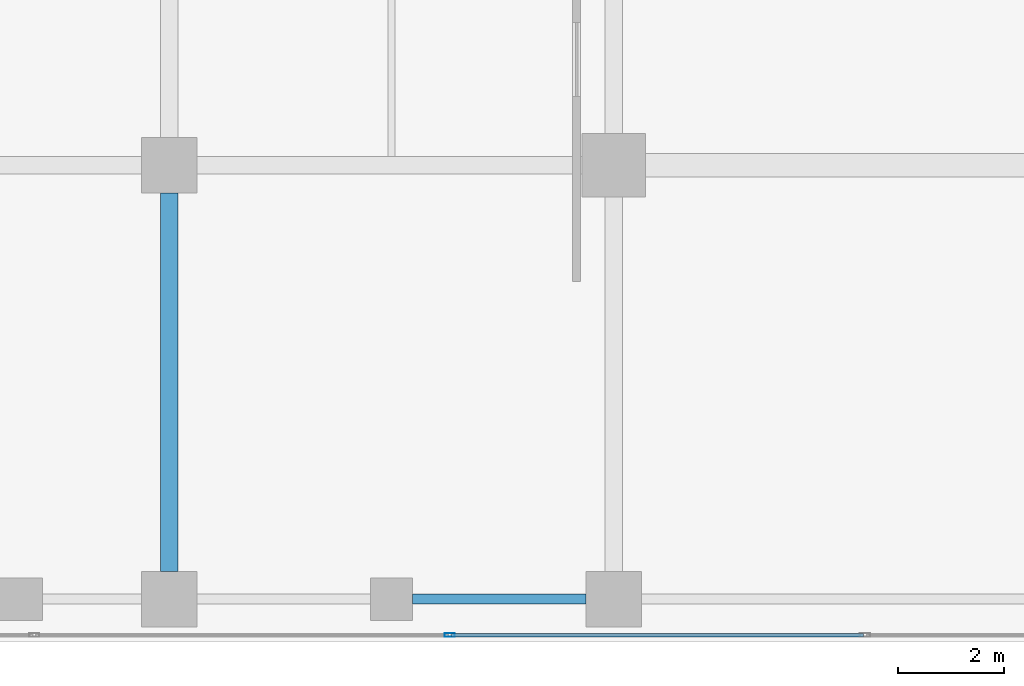
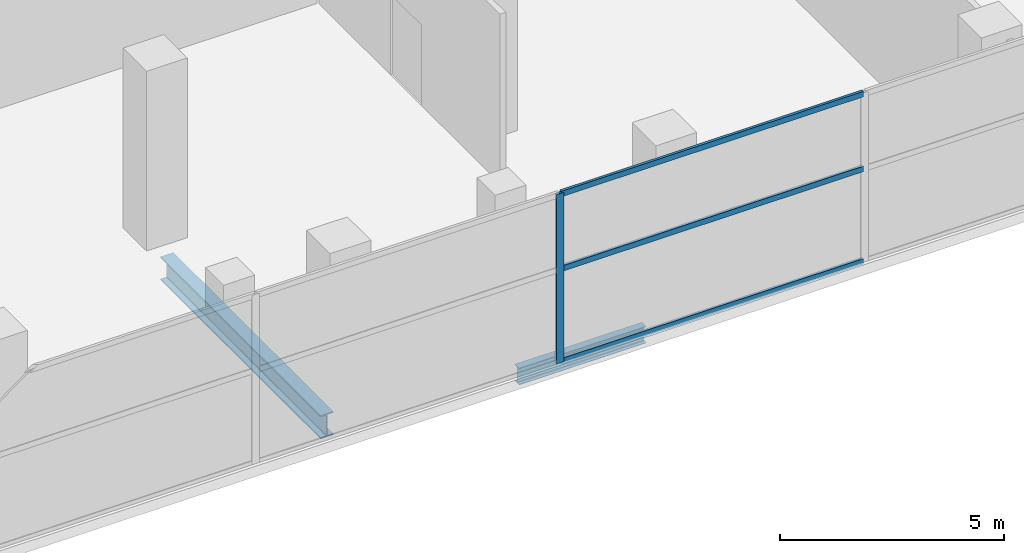
# One storey, part 6 of 39: 4 members, 2 beams, 1 element without a shape of its own.
"""IFC4 building model written with IfcOpenShell, lengths in metres."""

from ifc_helpers import new_model, si_unit, direction, frame, origin, origin_2d, place, context, subcontext, project, spatial, hollow_rectangle, i_section, extrude, material, layer, layer_set, material_profile, profile_set, type_object, element, aggregate, save


model = new_model("IFC4")

# Units and contexts
model_context = context("Model", 3, precision=1e-05, world=origin(), true_north=direction((0.0, 1.0)))
body_context = subcontext(model_context, "Body", "Model", "MODEL_VIEW")
ifc_project = project(units=[si_unit("LENGTHUNIT", "METRE"), si_unit("AREAUNIT", "SQUARE_METRE"), si_unit("VOLUMEUNIT", "CUBIC_METRE"), si_unit("PLANEANGLEUNIT", "RADIAN"), si_unit("MASSUNIT", "GRAM", prefix="KILO")], contexts=[model_context])

# Site, building, storey
site_placement = place(None, origin())
site = spatial("IfcSite", under=ifc_project, at=site_placement, CompositionType="ELEMENT")
building_placement = place(site_placement, origin())
building = spatial("IfcBuilding", under=site, at=building_placement, Name="Maruvema Waterfront Hotel and Observation Tower", CompositionType="ELEMENT")
storey_placement = place(building_placement, frame((0.0, 0.0, 16.449951171875)))
storey = spatial("IfcBuildingStorey", under=building, at=storey_placement, Name="L03", CompositionType="ELEMENT", Elevation=16.449951171875)

# Curtain wall, members
ifc_material_1 = material(Name="Anodised bronze aluminium and solar-control low-E IGU", Category="aluminium")
ifc_layer = layer(ifc_material_1, 0.159912109375, Name="Podium Waterfront Storefront Curtain Wall System CW-01")
ifc_layer_set = layer_set([ifc_layer], Name="Anodised bronze aluminium and solar-control low-E IGU")
curtain_wall_type = type_object("IfcCurtainWallType", Name="Podium Waterfront Storefront Curtain Wall System CW-01", PredefinedType="USERDEFINED", material=ifc_layer_set)
curtain_wall_placement = place(storey_placement, origin())
curtain_wall = element("IfcCurtainWall", 1, at=curtain_wall_placement, inside=storey, type_object=curtain_wall_type, Name="L03 Curtain Wall CW-L03-S", ObjectType="UNITISED CURTAIN WALL", PredefinedType="USERDEFINED")
ifc_material_2 = material(Name="Anodised architectural bronze aluminium", Category="aluminium")
ifc_material_profile_1 = material_profile(ifc_material_2, hollow_rectangle(XDim=0.070068359375, YDim=0.14990234375, WallThickness=0.00390625, at=origin_2d()), Name="ALU-T70x150")
ifc_profile_set_1 = profile_set([ifc_material_profile_1], Name="Anodised architectural bronze aluminium")
member_type_1 = type_object("IfcMemberType", Name="Curtain Wall Horizontal Transom ALU-T70x150", PredefinedType="USERDEFINED", material=ifc_profile_set_1)
member_1_placement = place(storey_placement, frame((22.1298828125, 0.1201171875, 0.030029296875), z_axis=(1.0, 0.0, 0.0), x_axis=(0.0, 1.0, 0.0)))
member_1 = element("IfcMember", 2, at=member_1_placement, type_object=member_type_1, Name="CW-01 transom 3.1", ObjectType="TRANSOM", PredefinedType="USERDEFINED", context=body_context, shape_type="SweptSolid", body=[
    extrude(hollow_rectangle(XDim=0.070068359375, YDim=0.14990234375, WallThickness=0.00390625, at=origin_2d()), origin(), (0.0, 0.0, 1.0), 7.7900390625),
])
member_2_placement = place(storey_placement, frame((22.1298828125, 0.1201171875, 2.550048828125), z_axis=(1.0, 0.0, 0.0), x_axis=(0.0, 1.0, 0.0)))
member_2 = element("IfcMember", 3, at=member_2_placement, type_object=member_type_1, Name="CW-01 transom 3.2", ObjectType="TRANSOM", PredefinedType="USERDEFINED", context=body_context, shape_type="SweptSolid", body=[
    extrude(hollow_rectangle(XDim=0.070068359375, YDim=0.14990234375, WallThickness=0.00390625, at=origin_2d()), origin(), (0.0, 0.0, 1.0), 7.7900390625),
])
member_3_placement = place(storey_placement, frame((22.1298828125, 0.1201171875, 4.590087890625), z_axis=(1.0, 0.0, 0.0), x_axis=(0.0, 1.0, 0.0)))
member_3 = element("IfcMember", 4, at=member_3_placement, type_object=member_type_1, Name="CW-01 transom 3.3", ObjectType="TRANSOM", PredefinedType="USERDEFINED", context=body_context, shape_type="SweptSolid", body=[
    extrude(hollow_rectangle(XDim=0.070068359375, YDim=0.14990234375, WallThickness=0.00390625, at=origin_2d()), origin(), (0.0, 0.0, 1.0), 7.7900390625),
])

# Beam
ifc_material_3 = material(Name="Steel ASTM A572 Grade 50", Category="steel")
ifc_material_profile_2 = material_profile(ifc_material_3, i_section(OverallWidth=0.18994140625, OverallDepth=0.45703125, WebThickness=0.009033203125, FlangeThickness=0.014404296875, FilletRadius=0.014892578125, at=origin_2d()), Name="W460x74.0")
ifc_profile_set_2 = profile_set([ifc_material_profile_2], Name="Steel ASTM A572 Grade 50")
beam_type_1 = type_object("IfcBeamType", Name="Perimeter Spandrel Beam W460x74.0", PredefinedType="SPANDREL", material=ifc_profile_set_2)
beam_1_placement = place(storey_placement, frame((21.39990234375, 0.800048828125, -0.508544921875), z_axis=(1.0, 0.0, 0.0), x_axis=(0.0, 1.0, 0.0)))
element("IfcBeam", 5, at=beam_1_placement, inside=storey, type_object=beam_type_1, Name="L03 Floor Girder EW-03", PredefinedType="SPANDREL", context=body_context, shape_type="SweptSolid", body=[
    extrude(i_section(OverallWidth=0.18994140625, OverallDepth=0.45703125, WebThickness=0.009033203125, FlangeThickness=0.014404296875, FilletRadius=0.014892578125, at=origin_2d()), origin(), (0.0, 0.0, 1.0), 3.275146484375),
])

# Member
ifc_material_4 = material(Name="Anodised architectural bronze aluminium", Category="aluminium")
ifc_material_profile_3 = material_profile(ifc_material_4, hollow_rectangle(XDim=0.070068359375, YDim=0.18994140625, WallThickness=0.00390625, at=origin_2d()), Name="ALU-M70x190")
ifc_profile_set_3 = profile_set([ifc_material_profile_3], Name="Anodised architectural bronze aluminium")
member_type_2 = type_object("IfcMemberType", Name="Podium Storefront Heavy Mullion ALU-M70x190", PredefinedType="MULLION", material=ifc_profile_set_3)
member_4_placement = place(storey_placement, frame((22.10009765625, 0.1201171875, 0.0), z_axis=(0.0, 0.0, 1.0), x_axis=(0.0, 1.0, 0.0)))
member_4 = element("IfcMember", 6, at=member_4_placement, type_object=member_type_2, Name="CW-01 mullion 3", PredefinedType="MULLION", context=body_context, shape_type="SweptSolid", body=[
    extrude(hollow_rectangle(XDim=0.070068359375, YDim=0.18994140625, WallThickness=0.00390625, at=origin_2d()), origin(), (0.0, 0.0, 1.0), 4.6201171875),
])

aggregate(curtain_wall, [member_4, member_1, member_2, member_3])

# Beam
ifc_material_5 = material(Name="Steel ASTM A572 Grade 50", Category="steel")
ifc_material_profile_4 = material_profile(ifc_material_5, i_section(OverallWidth=0.3291015625, OverallDepth=0.635009765625, WebThickness=0.017822265625, FlangeThickness=0.031005859375, FilletRadius=0.01806640625, at=origin_2d()), Name="W610x241.0")
ifc_profile_set_4 = profile_set([ifc_material_profile_4], Name="Steel ASTM A572 Grade 50")
beam_type_2 = type_object("IfcBeamType", Name="Primary Floor Girder W610x241.0", PredefinedType="BEAM", material=ifc_profile_set_4)
beam_2_placement = place(storey_placement, frame((16.800048828125, 1.324951171875, -0.597412109375), z_axis=(0.0, 1.0, 0.0), x_axis=(-1.0, 0.0, 0.0)))
element("IfcBeam", 7, at=beam_2_placement, inside=storey, type_object=beam_type_2, Name="L03 Floor Girder NS-07", PredefinedType="BEAM", context=body_context, shape_type="SweptSolid", body=[
    extrude(i_section(OverallWidth=0.3291015625, OverallDepth=0.635009765625, WebThickness=0.017822265625, FlangeThickness=0.031005859375, FilletRadius=0.01806640625, at=origin_2d()), origin(), (0.0, 0.0, 1.0), 7.150146484375),
])

save(model, "model.ifc")
